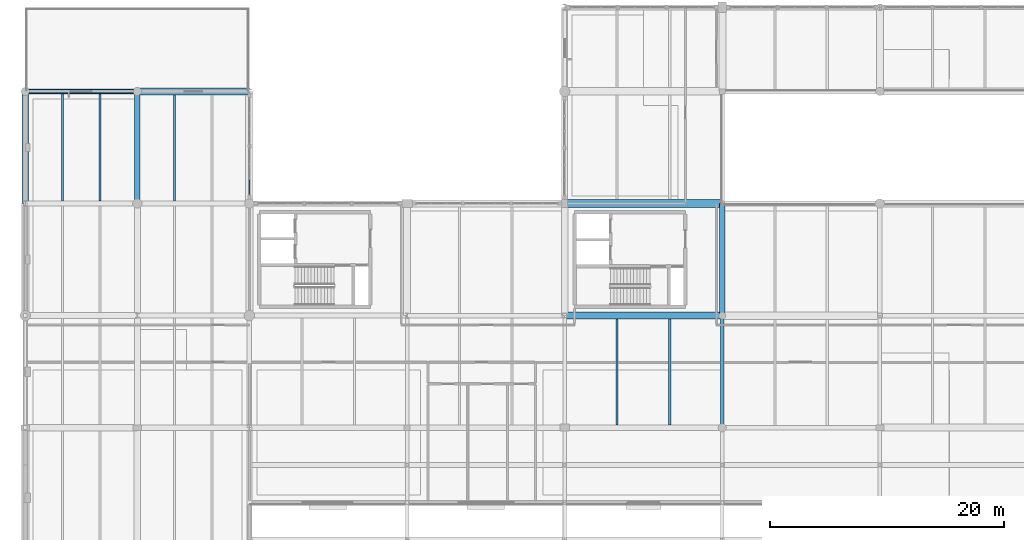
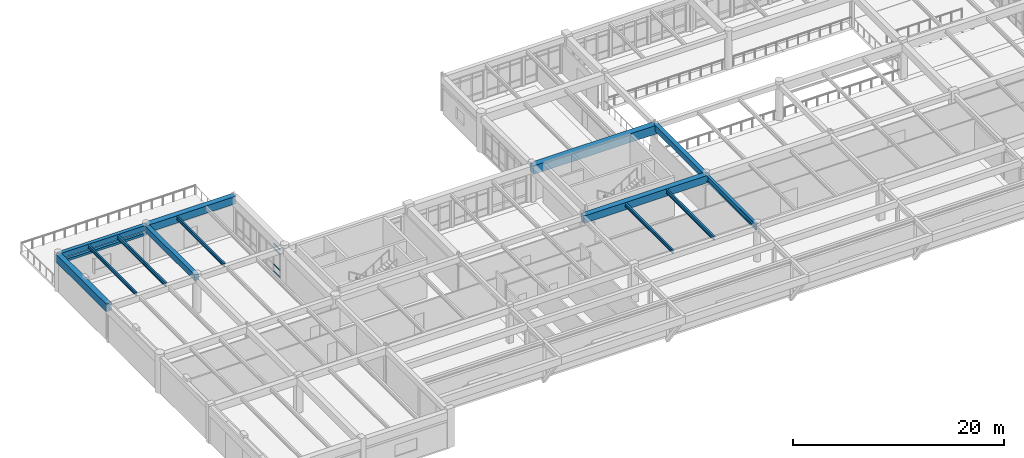
# One storey, part 16 of 80: 14 beams, 4 members, 1 element without a shape of its own.
"""IFC4 building model written with IfcOpenShell, lengths in metres."""

from ifc_helpers import new_model, si_unit, direction, frame, origin, origin_2d, place, context, subcontext, project, spatial, rectangle, hollow_rectangle, i_section, extrude, material, layer, layer_set, material_profile, profile_set, type_object, element, aggregate, save


model = new_model("IFC4")

# Units and contexts
model_context = context("Model", 3, precision=1e-05, world=origin(), true_north=direction((0.0, 1.0)))
body_context = subcontext(model_context, "Body", "Model", "MODEL_VIEW")
ifc_project = project(units=[si_unit("LENGTHUNIT", "METRE"), si_unit("AREAUNIT", "SQUARE_METRE"), si_unit("VOLUMEUNIT", "CUBIC_METRE"), si_unit("PLANEANGLEUNIT", "RADIAN"), si_unit("MASSUNIT", "GRAM", prefix="KILO")], contexts=[model_context])

# Site, building, storey
site_placement = place(None, origin())
site = spatial("IfcSite", under=ifc_project, at=site_placement, CompositionType="ELEMENT")
building_placement = place(site_placement, origin())
building = spatial("IfcBuilding", under=site, at=building_placement, Name="Fikremerkos Civic Library", CompositionType="ELEMENT")
storey_placement = place(building_placement, frame((0.0, 0.0, 9.89990234375)))
storey = spatial("IfcBuildingStorey", under=building, at=storey_placement, Name="L02", CompositionType="ELEMENT", Elevation=9.89990234375)

# Curtain wall, members
ifc_material_1 = material(Name="Anodized aluminium Frame", Category="aluminium")
ifc_layer = layer(ifc_material_1, 0.159912109375, Name="Anodized aluminium Frame")
ifc_layer_set = layer_set([ifc_layer], Name="Anodized aluminium Frame")
curtain_wall_type = type_object("IfcCurtainWallType", Name="Unitised curtain wall CW-01 3600x3600", PredefinedType="USERDEFINED", material=ifc_layer_set)
curtain_wall_placement = place(storey_placement, origin())
curtain_wall = element("IfcCurtainWall", 1, at=curtain_wall_placement, inside=storey, type_object=curtain_wall_type, Name="Unitised curtain wall CW-01 L02 #145", ObjectType="UNITISED CURTAIN WALL", PredefinedType="USERDEFINED")
ifc_material_profile_1 = material_profile(ifc_material_1, hollow_rectangle(XDim=0.070068359375, YDim=0.14990234375, WallThickness=0.00439453125, at=origin_2d()), Name="ALU 150x70x4.5")
ifc_profile_set_1 = profile_set([ifc_material_profile_1], Name="Anodized aluminium Frame")
member_type = type_object("IfcMemberType", Name="Curtain transom CWT-01 ALU 150x70x4.5", PredefinedType="USERDEFINED", material=ifc_profile_set_1)
member_1_placement = place(storey_placement, frame((19.199951171875, 33.2529296875, 0.03515625), z_axis=(0.0, -1.0, 0.0), x_axis=(1.0, 0.0, 0.0)))
member_1 = element("IfcMember", 2, at=member_1_placement, type_object=member_type, Name="CW-01 transom 3.1", ObjectType="TRANSOM", PredefinedType="USERDEFINED", context=body_context, shape_type="SweptSolid", body=[
    extrude(hollow_rectangle(XDim=0.070068359375, YDim=0.14990234375, WallThickness=0.00439453125, at=origin_2d()), origin(), (0.0, 0.0, 1.0), 1.239990234375),
])
member_2_placement = place(storey_placement, frame((19.199951171875, 33.2529296875, 0.85009765625), z_axis=(0.0, -1.0, 0.0), x_axis=(1.0, 0.0, 0.0)))
member_2 = element("IfcMember", 3, at=member_2_placement, type_object=member_type, Name="CW-01 transom 3.2", ObjectType="TRANSOM", PredefinedType="USERDEFINED", context=body_context, shape_type="SweptSolid", body=[
    extrude(hollow_rectangle(XDim=0.070068359375, YDim=0.14990234375, WallThickness=0.00439453125, at=origin_2d()), origin(), (0.0, 0.0, 1.0), 1.239990234375),
])
member_3_placement = place(storey_placement, frame((19.199951171875, 33.2529296875, 2.7001953125), z_axis=(0.0, -1.0, 0.0), x_axis=(1.0, 0.0, 0.0)))
member_3 = element("IfcMember", 4, at=member_3_placement, type_object=member_type, Name="CW-01 transom 3.3", ObjectType="TRANSOM", PredefinedType="USERDEFINED", context=body_context, shape_type="SweptSolid", body=[
    extrude(hollow_rectangle(XDim=0.070068359375, YDim=0.14990234375, WallThickness=0.00439453125, at=origin_2d()), origin(), (0.0, 0.0, 1.0), 1.239990234375),
])
member_4_placement = place(storey_placement, frame((19.199951171875, 33.2529296875, 3.215087890625), z_axis=(0.0, -1.0, 0.0), x_axis=(1.0, 0.0, 0.0)))
member_4 = element("IfcMember", 5, at=member_4_placement, type_object=member_type, Name="CW-01 transom 3.4", ObjectType="TRANSOM", PredefinedType="USERDEFINED", context=body_context, shape_type="SweptSolid", body=[
    extrude(hollow_rectangle(XDim=0.070068359375, YDim=0.14990234375, WallThickness=0.00439453125, at=origin_2d()), origin(), (0.0, 0.0, 1.0), 1.239990234375),
])
aggregate(curtain_wall, [member_1, member_2, member_3, member_4])

# Beams
ifc_material_2 = material(Name="Steel S355", Category="steel")
ifc_material_profile_2 = material_profile(ifc_material_2, i_section(OverallWidth=0.18994140625, OverallDepth=0.449951171875, WebThickness=0.009521484375, FlangeThickness=0.0146484375, FilletRadius=0.02099609375, at=origin_2d()), Name="IPE 450")
ifc_profile_set_2 = profile_set([ifc_material_profile_2], Name="Steel S355")
beam_type_1 = type_object("IfcBeamType", Name="Floor joist JS-07 IPE 450", PredefinedType="JOIST", material=ifc_profile_set_2)
beam_1_placement = place(storey_placement, frame((6.39990234375, 31.425048828125, 4.03515625), z_axis=(0.0, 1.0, 0.0), x_axis=(-1.0, 0.0, 0.0)))
element("IfcBeam", 6, at=beam_1_placement, inside=storey, type_object=beam_type_1, Name="Floor joist JS-07 L02 #477", PredefinedType="JOIST", context=body_context, shape_type="SweptSolid", body=[
    extrude(i_section(OverallWidth=0.18994140625, OverallDepth=0.449951171875, WebThickness=0.009521484375, FlangeThickness=0.0146484375, FilletRadius=0.02099609375, at=origin_2d()), origin(), (0.0, 0.0, 1.0), 9.175048828125),
])
beam_2_placement = place(storey_placement, frame((55.199951171875, 12.22509765625, 3.93505859375), z_axis=(0.0, 1.0, 0.0), x_axis=(-1.0, 0.0, 0.0)))
element("IfcBeam", 7, at=beam_2_placement, inside=storey, type_object=beam_type_1, Name="Floor joist JS-07 L02 #493", PredefinedType="JOIST", context=body_context, shape_type="SweptSolid", body=[
    extrude(i_section(OverallWidth=0.18994140625, OverallDepth=0.449951171875, WebThickness=0.009521484375, FlangeThickness=0.0146484375, FilletRadius=0.02099609375, at=origin_2d()), origin(), (0.0, 0.0, 1.0), 9.074951171875),
])
ifc_material_profile_3 = material_profile(ifc_material_2, i_section(OverallWidth=0.179931640625, OverallDepth=0.39990234375, WebThickness=0.008544921875, FlangeThickness=0.013427734375, FilletRadius=0.02099609375, at=origin_2d()), Name="IPE 400")
ifc_profile_set_3 = profile_set([ifc_material_profile_3], Name="Steel S355")
beam_type_2 = type_object("IfcBeamType", Name="Floor joist JS-08 IPE 400", PredefinedType="JOIST", material=ifc_profile_set_3)
beam_3_placement = place(storey_placement, frame((3.199951171875, 31.425048828125, 4.06005859375), z_axis=(0.0, 1.0, 0.0), x_axis=(-1.0, 0.0, 0.0)))
element("IfcBeam", 8, at=beam_3_placement, inside=storey, type_object=beam_type_2, Name="Floor joist JS-08 L02 #476", PredefinedType="JOIST", context=body_context, shape_type="SweptSolid", body=[
    extrude(i_section(OverallWidth=0.179931640625, OverallDepth=0.39990234375, WebThickness=0.008544921875, FlangeThickness=0.013427734375, FilletRadius=0.02099609375, at=origin_2d()), origin(), (0.0, 0.0, 1.0), 9.175048828125),
])
for number, where, z_axis, x_axis, name in (
    (9, (12.800048828125, 31.425048828125, 4.06005859375), (0.0, 1.0, 0.0), (-1.0, 0.0, 0.0), "Floor joist JS-08 L02 #484"),
    (10, (50.699951171875, 12.22509765625, 3.960205078125), (0.0, 1.0, 0.0), (-1.0, 0.0, 0.0), "Floor joist JS-08 L02 #492"),
):
    element("IfcBeam", number, at=place(storey_placement, frame(where, z_axis=z_axis, x_axis=x_axis)), inside=storey, type_object=beam_type_2, Name=name, PredefinedType="JOIST", context=body_context, shape_type="SweptSolid", body=[
        extrude(i_section(OverallWidth=0.179931640625, OverallDepth=0.39990234375, WebThickness=0.008544921875, FlangeThickness=0.013427734375, FilletRadius=0.02099609375, at=origin_2d()), origin(), (0.0, 0.0, 1.0), 9.074951171875),
    ])
ifc_material_3 = material(Name="Concrete C40/50", Category="concrete")
ifc_material_profile_4 = material_profile(ifc_material_3, rectangle(XDim=0.300048828125, YDim=0.260009765625, at=origin_2d()), Name="RC 300x260")
ifc_profile_set_4 = profile_set([ifc_material_profile_4], Name="Concrete C40/50")
beam_type_3 = type_object("IfcBeamType", Name="Opening lintel LNT-02 RC 300x260", PredefinedType="LINTEL", material=ifc_profile_set_4)
beam_4_placement = place(storey_placement, frame((0.0, 40.800048828125, 3.2001953125), z_axis=(1.0, 0.0, 0.0), x_axis=(0.0, 1.0, 0.0)))
element("IfcBeam", 11, at=beam_4_placement, inside=storey, type_object=beam_type_3, Name="Courtyard window head lintel LNT-02 L02 #25", PredefinedType="LINTEL", context=body_context, shape_type="SweptSolid", body=[
    extrude(rectangle(XDim=0.300048828125, YDim=0.260009765625, at=origin_2d()), origin(), (0.0, 0.0, 1.0), 9.60009765625),
])
ifc_material_profile_5 = material_profile(ifc_material_3, rectangle(XDim=0.550048828125, YDim=0.89990234375, at=origin_2d()), Name="RC 550x900")
ifc_profile_set_5 = profile_set([ifc_material_profile_5], Name="Concrete C40/50")
beam_type_4 = type_object("IfcBeamType", Name="Primary girder BM-02 RC 550x900", PredefinedType="BEAM", material=ifc_profile_set_5)
beam_5_placement = place(storey_placement, frame((0.0, 31.199951171875, 3.81005859375), z_axis=(0.0, 1.0, 0.0), x_axis=(-1.0, 0.0, 0.0)))
element("IfcBeam", 12, at=beam_5_placement, inside=storey, type_object=beam_type_4, Name="Primary girder BM-02 L02 grid 1", PredefinedType="BEAM", context=body_context, shape_type="SweptSolid", body=[
    extrude(rectangle(XDim=0.550048828125, YDim=0.89990234375, at=origin_2d()), origin(), (0.0, 0.0, 1.0), 9.60009765625),
])
ifc_material_profile_6 = material_profile(ifc_material_3, rectangle(XDim=0.449951171875, YDim=0.699951171875, at=origin_2d()), Name="RC 450x700")
ifc_profile_set_6 = profile_set([ifc_material_profile_6], Name="Concrete C40/50")
beam_type_5 = type_object("IfcBeamType", Name="Primary girder BM-06 RC 450x700", PredefinedType="BEAM", material=ifc_profile_set_6)
beam_6_placement = place(storey_placement, frame((9.60009765625, 31.199951171875, 3.91015625), z_axis=(0.0, 1.0, 0.0), x_axis=(-1.0, 0.0, 0.0)))
element("IfcBeam", 13, at=beam_6_placement, inside=storey, type_object=beam_type_5, Name="Primary girder BM-06 L02 grid 2", PredefinedType="BEAM", context=body_context, shape_type="SweptSolid", body=[
    extrude(rectangle(XDim=0.449951171875, YDim=0.699951171875, at=origin_2d()), origin(), (0.0, 0.0, 1.0), 9.60009765625),
])
ifc_material_profile_7 = material_profile(ifc_material_3, rectangle(XDim=0.449951171875, YDim=0.64990234375, at=origin_2d()), Name="RC 450x650")
ifc_profile_set_7 = profile_set([ifc_material_profile_7], Name="Concrete C40/50")
beam_type_6 = type_object("IfcBeamType", Name="Primary girder BM-07 RC 450x650", PredefinedType="BEAM", material=ifc_profile_set_7)
beam_7_placement = place(storey_placement, frame((59.699951171875, 21.60009765625, 3.835205078125), z_axis=(0.0, 1.0, 0.0), x_axis=(-1.0, 0.0, 0.0)))
element("IfcBeam", 14, at=beam_7_placement, inside=storey, type_object=beam_type_6, Name="Primary girder BM-07 L02 grid 6", PredefinedType="BEAM", context=body_context, shape_type="SweptSolid", body=[
    extrude(rectangle(XDim=0.449951171875, YDim=0.64990234375, at=origin_2d()), origin(), (0.0, 0.0, 1.0), 9.599853515625),
])
ifc_material_profile_8 = material_profile(ifc_material_3, rectangle(XDim=0.39990234375, YDim=0.60009765625, at=origin_2d()), Name="RC 400x600")
ifc_profile_set_8 = profile_set([ifc_material_profile_8], Name="Concrete C40/50")
beam_type_7 = type_object("IfcBeamType", Name="Primary girder BM-08 RC 400x600", PredefinedType="BEAM", material=ifc_profile_set_8)
beam_8_placement = place(storey_placement, frame((0.0, 40.800048828125, 3.960205078125), z_axis=(1.0, 0.0, 0.0), x_axis=(0.0, 1.0, 0.0)))
element("IfcBeam", 15, at=beam_8_placement, inside=storey, type_object=beam_type_7, Name="Primary girder BM-08 L02 grid H", PredefinedType="BEAM", context=body_context, shape_type="SweptSolid", body=[
    extrude(rectangle(XDim=0.39990234375, YDim=0.60009765625, at=origin_2d()), origin(), (0.0, 0.0, 1.0), 9.60009765625),
])
ifc_material_profile_9 = material_profile(ifc_material_2, i_section(OverallWidth=0.300048828125, OverallDepth=0.64990234375, WebThickness=0.01611328125, FlangeThickness=0.031005859375, FilletRadius=0.027099609375, at=origin_2d()), Name="HEB 650")
ifc_profile_set_9 = profile_set([ifc_material_profile_9], Name="Steel S355")
beam_type_8 = type_object("IfcBeamType", Name="Primary girder BM-12 HEB 650", PredefinedType="BEAM", material=ifc_profile_set_9)
beam_9_placement = place(storey_placement, frame((59.699951171875, 12.0, 3.835205078125), z_axis=(0.0, 1.0, 0.0), x_axis=(-1.0, 0.0, 0.0)))
element("IfcBeam", 16, at=beam_9_placement, inside=storey, type_object=beam_type_8, Name="Primary girder BM-12 L02 grid 6", PredefinedType="BEAM", context=body_context, shape_type="SweptSolid", body=[
    extrude(i_section(OverallWidth=0.300048828125, OverallDepth=0.64990234375, WebThickness=0.01611328125, FlangeThickness=0.031005859375, FilletRadius=0.027099609375, at=origin_2d()), origin(), (0.0, 0.0, 1.0), 9.60009765625),
])
ifc_material_profile_10 = material_profile(ifc_material_3, rectangle(XDim=0.60009765625, YDim=0.85009765625, at=origin_2d()), Name="RC 600x850")
ifc_profile_set_10 = profile_set([ifc_material_profile_10], Name="Concrete C40/50")
beam_type_9 = type_object("IfcBeamType", Name="Primary girder BM-24 RC 600x850", PredefinedType="BEAM", material=ifc_profile_set_10)
beam_10_placement = place(storey_placement, frame((46.199951171875, 21.60009765625, 3.735107421875), z_axis=(1.0, 0.0, 0.0), x_axis=(0.0, 1.0, 0.0)))
element("IfcBeam", 17, at=beam_10_placement, inside=storey, type_object=beam_type_9, Name="Primary girder BM-24 L02 grid F", PredefinedType="BEAM", context=body_context, shape_type="SweptSolid", body=[
    extrude(rectangle(XDim=0.60009765625, YDim=0.85009765625, at=origin_2d()), origin(), (0.0, 0.0, 1.0), 13.5),
])
beam_11_placement = place(storey_placement, frame((9.60009765625, 40.800048828125, 3.835205078125), z_axis=(1.0, 0.0, 0.0), x_axis=(0.0, 1.0, 0.0)))
element("IfcBeam", 18, at=beam_11_placement, inside=storey, type_object=beam_type_9, Name="Primary girder BM-24 L02 grid H", PredefinedType="BEAM", context=body_context, shape_type="SweptSolid", body=[
    extrude(rectangle(XDim=0.60009765625, YDim=0.85009765625, at=origin_2d()), origin(), (0.0, 0.0, 1.0), 9.599853515625),
])
ifc_material_4 = material(Name="Concrete C45/55", Category="concrete")
ifc_material_profile_11 = material_profile(ifc_material_4, rectangle(XDim=0.64990234375, YDim=1.0, at=origin_2d()), Name="RC 650x1000")
ifc_profile_set_11 = profile_set([ifc_material_profile_11], Name="Concrete C45/55")
beam_type_10 = type_object("IfcBeamType", Name="Primary girder BM-25 RC 650x1000", PredefinedType="BEAM", material=ifc_profile_set_11)
beam_12_placement = place(storey_placement, frame((46.199951171875, 31.199951171875, 3.66015625), z_axis=(1.0, 0.0, 0.0), x_axis=(0.0, 1.0, 0.0)))
element("IfcBeam", 19, at=beam_12_placement, inside=storey, type_object=beam_type_10, Name="Primary girder BM-25 L02 grid G", PredefinedType="BEAM", context=body_context, shape_type="SweptSolid", body=[
    extrude(rectangle(XDim=0.64990234375, YDim=1.0, at=origin_2d()), origin(), (0.0, 0.0, 1.0), 13.5),
])

save(model, "model.ifc")
